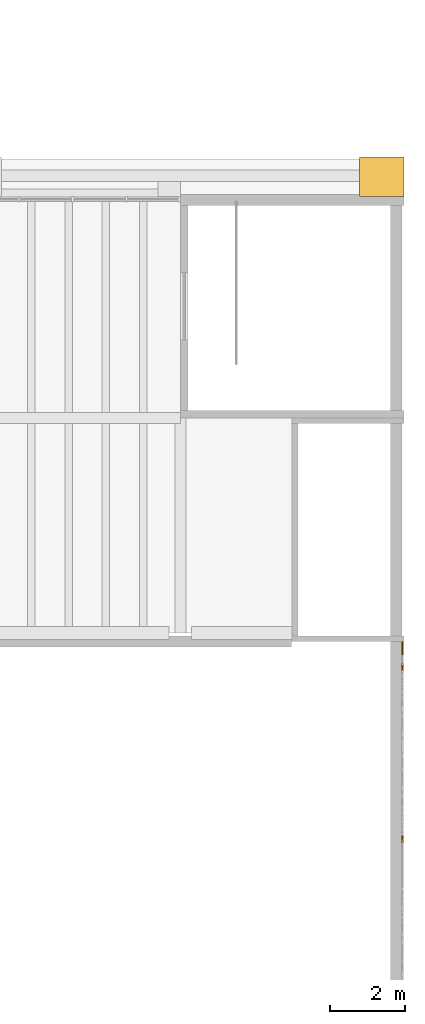
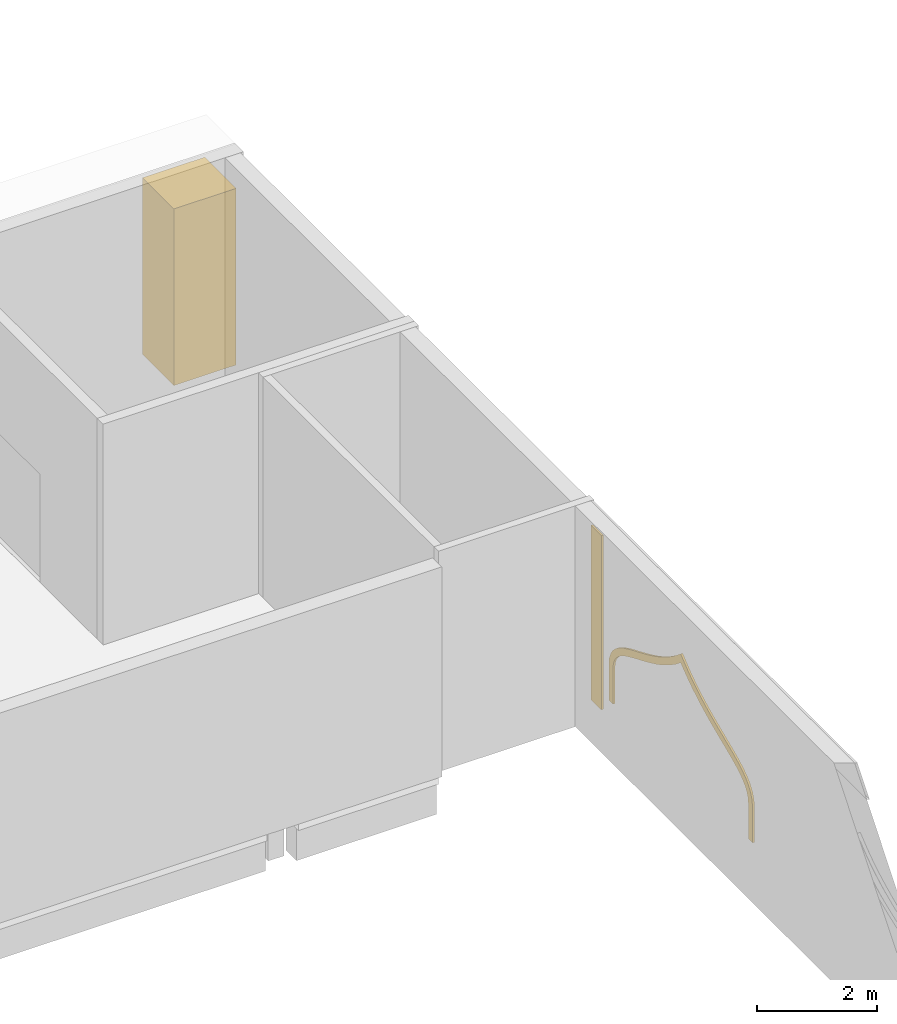
# One storey, part 60 of 70: 3 coverings.
"""IFC4 building model written with IfcOpenShell, lengths in metres."""

from ifc_helpers import new_model, si_unit, direction, frame, origin, origin_2d, place, context, subcontext, project, spatial, polyline, rectangle, outline, extrude, material, layer, layer_set, type_object, element, save


model = new_model("IFC4")

# Units and contexts
model_context = context("Model", 3, precision=1e-05, world=origin(), true_north=direction((0.0, 1.0)))
body_context = subcontext(model_context, "Body", "Model", "MODEL_VIEW")
ifc_project = project(units=[si_unit("LENGTHUNIT", "METRE"), si_unit("AREAUNIT", "SQUARE_METRE"), si_unit("VOLUMEUNIT", "CUBIC_METRE"), si_unit("PLANEANGLEUNIT", "RADIAN"), si_unit("MASSUNIT", "GRAM", prefix="KILO")], contexts=[model_context])

# Site, building, storey
site_placement = place(None, origin())
site = spatial("IfcSite", under=ifc_project, at=site_placement, CompositionType="ELEMENT")
building_placement = place(site_placement, origin())
building = spatial("IfcBuilding", under=site, at=building_placement, Name="Saffron Lane Theatres", CompositionType="ELEMENT")
storey_placement = place(building_placement, frame((0.0, 0.0, 12.0)))
storey = spatial("IfcBuildingStorey", under=building, at=storey_placement, Name="L02", CompositionType="ELEMENT", Elevation=12.0)

# Coverings
ifc_material_1 = material(Name="Face brick cladding, pale buff", Category="masonry")
ifc_layer_1 = layer(ifc_material_1, 0.0400390625)
ifc_layer_set_1 = layer_set([ifc_layer_1], Name="Face brick cladding, pale buff")
covering_type_1 = type_object("IfcCoveringType", Name="EX-FACE BRICK SKIN PALE BUFF 40", PredefinedType="CLADDING", material=ifc_layer_set_1)
covering_1_placement = place(storey_placement, frame((65.9599609375, 17.824951171875, 0.4501953125), z_axis=(0.0, 0.0, 1.0), x_axis=(0.0, 1.0, 0.0)))
element("IfcCovering", 1, at=covering_1_placement, inside=storey, type_object=covering_type_1, Name="Face brick cladding, pale buff L02", PredefinedType="CLADDING", context=body_context, shape_type="SweptSolid", body=[
    extrude(rectangle(XDim=0.35009765625, YDim=0.0400390625, at=origin_2d()), origin(), (0.0, 0.0, 1.0), 3.550048828125),
])
ifc_material_2 = material(Name="Face brick cladding, pale buff", Category="masonry")
ifc_layer_2 = layer(ifc_material_2, 0.0400390625)
ifc_layer_set_2 = layer_set([ifc_layer_2], Name="Face brick cladding, pale buff")
covering_type_2 = type_object("IfcCoveringType", Name="EX-NICHE FRAME RING FACE BRICK PALE BUFF", PredefinedType="CLADDING", material=ifc_layer_set_2)
covering_2_placement = place(storey_placement, frame((65.93994140625, 12.60009765625, 1.529052734375), z_axis=(-1.0, 0.0, 0.0), x_axis=(0.0, 0.1142904069, 0.993447383051)))
element("IfcCovering", 2, at=covering_2_placement, inside=storey, type_object=covering_type_2, Name="Court wall niche ring", PredefinedType="CLADDING", context=body_context, shape_type="SweptSolid", body=[
    extrude(outline(polyline([(0.0, 0.0), (0.1388492792656847, 0.0), (0.2696088548128292, 0.03435280127758979), (0.38778420831120713, 0.09816895170466255), (0.4935728066597587, 0.1867564660520517), (0.5907072035243214, 0.2962454223763962), (0.682649508774358, 0.42255126080070415), (0.7725527536549033, 0.5653112432171398), (0.8628530787126653, 0.7200673397441939), (0.9554908108676652, 0.8865963269308906), (1.0550849584516353, 1.060189048513373), (1.1614487864623173, 1.2413584891530183), (1.2782032368400602, 1.4252645634464545), (1.4071770247793973, 1.6107138844826956), (1.5503297946143773, 1.7955149989593715), (1.7109648241435755, 1.9763388725258713), (1.9322951685448566, 2.193432264117283), (1.7660452106718798, 2.4551145400411314), (1.6506687358280459, 2.6676919495089537), (1.5532209675803823, 2.8801727719066417), (1.4697289577773855, 3.090065060824744), (1.3978982269085434, 3.2966497791855978), (1.3353420011518824, 3.496269496600136), (1.2777696682141262, 3.6879433177116665), (1.2253679630975327, 3.871158257858812), (1.1725691778037226, 4.042377083895339), (1.1174329854126743, 4.201823019272223), (1.0565745457110323, 4.345707704460884), (0.9868408274537619, 4.474393877569155), (0.9039326328302404, 4.584689872523951), (0.803336126096215, 4.673674467048558), (0.6837935289606095, 4.736823093502039), (0.5485716307732833, 4.768353405952386), (-0.17565539212467307, 4.851671559029142), (-0.19164377180082215, 4.712695643382615), (0.5245794025520463, 4.630298287041135), (0.6344268042255539, 4.604636175696251), (0.7236754034085255, 4.557997499097641), (0.8002453398519331, 4.488733837915022), (0.8682683937781672, 4.398581613031465), (0.9308332050521732, 4.284482233892733), (0.9867721433150001, 4.151239297453483), (1.0388368668757932, 3.9992734940636265), (1.0910282268174285, 3.831319310997622), (1.14354154365951, 3.649074534310487), (1.2006202093499159, 3.4552457483453045), (1.2650523706465087, 3.252706955033389), (1.3383490786020484, 3.0417758185165145), (1.424324449297152, 2.8256998107305122), (1.5258138498350813, 2.605627244620307), (1.6453628861086955, 2.384460025048585), (1.7535425510378928, 2.2139967245384384), (1.609479716364319, 2.0725524726551585), (1.442830531934789, 1.8843107121023825), (1.2940177597899682, 1.6930339711680689), (1.1612212702526687, 1.5021264074796), (1.0419405313960928, 1.3133501984720835), (0.9331985150807832, 1.1307340981597673), (0.8335957819794677, 0.9549306058608891), (0.7410696615499556, 0.789371782134203), (0.6521022380600401, 0.6376571051266956), (0.5668888320293253, 0.5014843608933854), (0.4821540685906067, 0.384425124649887), (0.39531370702297125, 0.28751395123630025), (0.3084561744206454, 0.21395109224305847), (0.21829751039907963, 0.16509735216938012), (0.12078964352999957, 0.13994393272720115), (0.007984531131061172, 0.1398967123818024), (-0.7082386432218073, 0.22229406872328286), (-0.7242270228979564, 0.08331815307675605), (0.0, 0.0)])), origin(), (0.0, 0.0, -1.0), 0.0400390625),
])
ifc_material_3 = material(Name="Masonry sandstone", Category="masonry")
ifc_layer_3 = layer(ifc_material_3, 1.199951171875)
ifc_layer_set_3 = layer_set([ifc_layer_3], Name="Masonry sandstone")
covering_type_3 = type_object("IfcCoveringType", Name="EX-REAR BUTTRESS PIER SANDSTONE 1200", PredefinedType="CLADDING", material=ifc_layer_set_3)
covering_3_placement = place(storey_placement, frame((65.39990234375, 30.47509765625, 0.0), z_axis=(0.0, 0.0, 1.0), x_axis=(1.0, 0.0, 0.0)))
element("IfcCovering", 3, at=covering_3_placement, inside=storey, type_object=covering_type_3, Name="Rear buttress pier L02", PredefinedType="CLADDING", context=body_context, shape_type="SweptSolid", body=[
    extrude(rectangle(XDim=1.199951171875, YDim=1.050048828125, at=origin_2d()), origin(), (0.0, 0.0, 1.0), 3.60009765625),
])

save(model, "model.ifc")
